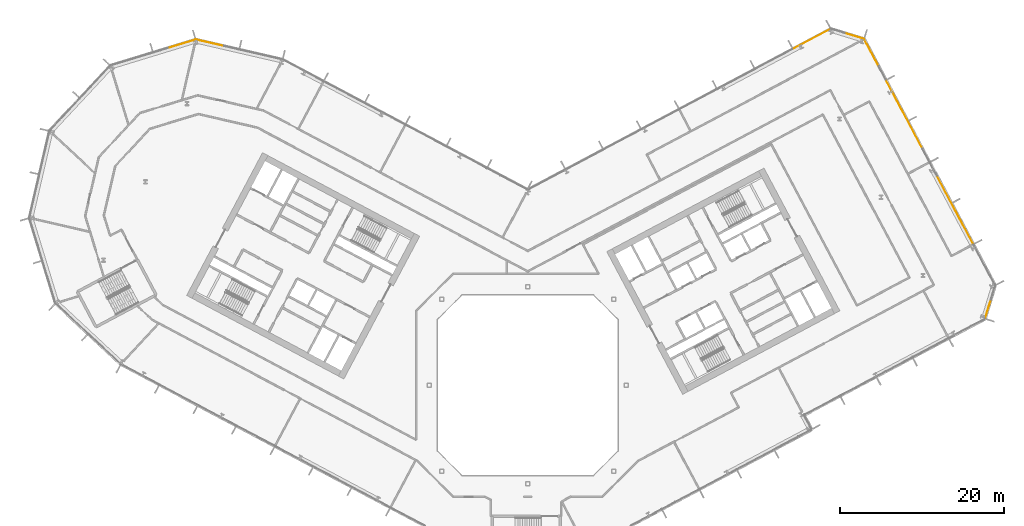
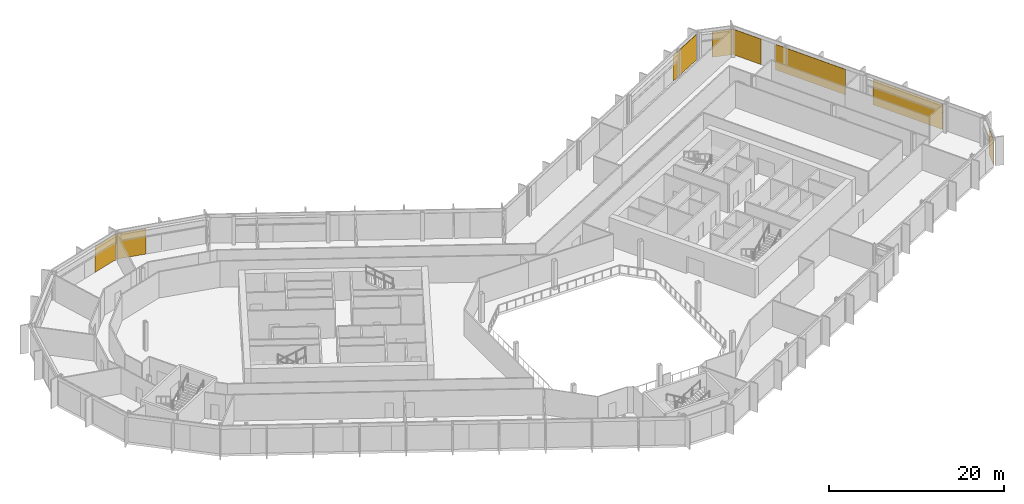
# One storey, part 28 of 28: 8 coverings, 6 elements without a shape of their own.
"""IFC4 building model written with IfcOpenShell, lengths in metres."""

from ifc_helpers import new_model, si_unit, direction, frame, origin, origin_2d, place, context, subcontext, project, spatial, rectangle, extrude, material, layer, layer_set, type_object, element, aggregate, save


model = new_model("IFC4")

# Units and contexts
model_context = context("Model", 3, precision=1e-05, world=origin(), true_north=direction((0.0, 1.0)))
body_context = subcontext(model_context, "Body", "Model", "MODEL_VIEW")
ifc_project = project(units=[si_unit("LENGTHUNIT", "METRE"), si_unit("AREAUNIT", "SQUARE_METRE"), si_unit("VOLUMEUNIT", "CUBIC_METRE"), si_unit("PLANEANGLEUNIT", "RADIAN"), si_unit("MASSUNIT", "GRAM", prefix="KILO")], contexts=[model_context])

# Site, building, storey
site_placement = place(None, origin())
site = spatial("IfcSite", under=ifc_project, at=site_placement, CompositionType="ELEMENT")
building_placement = place(site_placement, origin())
building = spatial("IfcBuilding", under=site, at=building_placement, Name="Cormorant Relay Tower", CompositionType="ELEMENT")
storey_placement = place(building_placement, frame((0.0, 0.0, 158.199951171875)))
storey = spatial("IfcBuildingStorey", under=building, at=storey_placement, Name="L33", CompositionType="ELEMENT", Elevation=158.199951171875)

# Curtain wall, covering
ifc_material_1 = material(Name="Aluminium 6063-T6 anodised bronze", Category="aluminium")
ifc_layer_1 = layer(ifc_material_1, 0.199951171875)
ifc_layer_set_1 = layer_set([ifc_layer_1], Name="CW1 unitised bronze curtain wall with vertical fins")
curtain_wall_type = type_object("IfcCurtainWallType", Name="CW1 unitised bronze curtain wall with vertical fins", PredefinedType="NOTDEFINED", material=ifc_layer_set_1)
curtain_wall_1_placement = place(storey_placement, origin())
curtain_wall_1 = element("IfcCurtainWall", 1, at=curtain_wall_1_placement, inside=storey, type_object=curtain_wall_type, Name="CW1 curtain wall 5", PredefinedType="NOTDEFINED")
ifc_material_2 = material(Name="Pale bronze anodised aluminium insulated panel", Category="aluminium")
ifc_layer_2 = layer(ifc_material_2, 0.0400390625)
ifc_layer_set_2 = layer_set([ifc_layer_2], Name="CW1 pale bronze insulated panel 40")
covering_type = type_object("IfcCoveringType", Name="CW1 pale bronze insulated panel 40", PredefinedType="CLADDING", material=ifc_layer_set_2)
covering_1_placement = place(storey_placement, frame((56.103515625, 9.303955078125, 0.0), z_axis=(0.0, 0.0, 1.0), x_axis=(0.292371704723, 0.956304755963, 0.0)))
covering_1 = element("IfcCovering", 2, at=covering_1_placement, type_object=covering_type, Name="CW1 panel S00", PredefinedType="CLADDING", context=body_context, shape_type="SweptSolid", body=[
    extrude(rectangle(XDim=2.36767578125, YDim=0.0400390625, at=origin_2d()), origin(), (0.0, 0.0, 1.0), 3.550048828125),
])
aggregate(curtain_wall_1, [covering_1])

# Curtain wall, coverings
curtain_wall_2_placement = place(storey_placement, origin())
curtain_wall_2 = element("IfcCurtainWall", 3, at=curtain_wall_2_placement, inside=storey, type_object=curtain_wall_type, Name="CW1 curtain wall 6", PredefinedType="NOTDEFINED")
covering_2_placement = place(storey_placement, frame((52.076171875, 21.384765625, 0.0), z_axis=(0.0, 0.0, 1.0), x_axis=(-0.469471562786, 0.882947592859, 0.0)))
covering_2 = element("IfcCovering", 4, at=covering_2_placement, type_object=covering_type, Name="CW1 panel S01", PredefinedType="CLADDING", context=body_context, shape_type="SweptSolid", body=[
    extrude(rectangle(XDim=9.38330078125, YDim=0.0400390625, at=origin_2d()), origin(), (0.0, 0.0, 1.0), 3.550048828125),
])
covering_3_placement = place(storey_placement, frame((45.910400390625, 32.980712890625, 0.0), z_axis=(0.0, 0.0, 1.0), x_axis=(-0.469471562786, 0.882947592859, 0.0)))
covering_3 = element("IfcCovering", 5, at=covering_3_placement, type_object=covering_type, Name="CW1 panel S04", PredefinedType="CLADDING", context=body_context, shape_type="SweptSolid", body=[
    extrude(rectangle(XDim=9.38330078125, YDim=0.0400390625, at=origin_2d()), origin(), (0.0, 0.0, 1.0), 3.550048828125),
])
covering_4_placement = place(storey_placement, frame((41.90234375, 40.518798828125, 0.0), z_axis=(0.0, 0.0, 1.0), x_axis=(-0.469471562786, 0.882947592859, 0.0)))
covering_4 = element("IfcCovering", 6, at=covering_4_placement, type_object=covering_type, Name="CW1 panel S06", PredefinedType="CLADDING", context=body_context, shape_type="SweptSolid", body=[
    extrude(rectangle(XDim=3.791748046875, YDim=0.0400390625, at=origin_2d()), origin(), (0.0, 0.0, 1.0), 3.550048828125),
])
aggregate(curtain_wall_2, [covering_2, covering_3, covering_4])

# Curtain wall, covering
curtain_wall_3_placement = place(storey_placement, origin())
curtain_wall_3 = element("IfcCurtainWall", 7, at=curtain_wall_3_placement, inside=storey, type_object=curtain_wall_type, Name="CW1 curtain wall 7", PredefinedType="NOTDEFINED")
covering_5_placement = place(storey_placement, frame((39.796630859375, 42.570556640625, 0.0), z_axis=(0.0, 0.0, 1.0), x_axis=(-0.956304755963, 0.292371704723, 0.0)))
covering_5 = element("IfcCovering", 8, at=covering_5_placement, type_object=covering_type, Name="CW1 panel S00", PredefinedType="CLADDING", context=body_context, shape_type="SweptSolid", body=[
    extrude(rectangle(XDim=2.36767578125, YDim=0.0400390625, at=origin_2d()), origin(), (0.0, 0.0, 1.0), 3.550048828125),
])
aggregate(curtain_wall_3, [covering_5])

curtain_wall_4_placement = place(storey_placement, origin())
curtain_wall_4 = element("IfcCurtainWall", 9, at=curtain_wall_4_placement, inside=storey, type_object=curtain_wall_type, Name="CW1 curtain wall 8", PredefinedType="NOTDEFINED")
covering_6_placement = place(storey_placement, frame((34.619384765625, 42.214111328125, 0.0), z_axis=(0.0, 0.0, 1.0), x_axis=(-0.882947592859, -0.469471562786, 0.0)))
covering_6 = element("IfcCovering", 10, at=covering_6_placement, type_object=covering_type, Name="CW1 panel S00", PredefinedType="CLADDING", context=body_context, shape_type="SweptSolid", body=[
    extrude(rectangle(XDim=5.079345703125, YDim=0.0400390625, at=origin_2d()), origin(), (0.0, 0.0, 1.0), 3.550048828125),
])
aggregate(curtain_wall_4, [covering_6])

curtain_wall_5_placement = place(storey_placement, origin())
curtain_wall_5 = element("IfcCurtainWall", 11, at=curtain_wall_5_placement, inside=storey, type_object=curtain_wall_type, Name="CW1 curtain wall 10", PredefinedType="NOTDEFINED")
covering_7_placement = place(storey_placement, frame((-38.7265625, 41.732421875, 0.0), z_axis=(0.0, 0.0, 1.0), x_axis=(-0.974370064785, 0.224951054344, 0.0)))
covering_7 = element("IfcCovering", 12, at=covering_7_placement, type_object=covering_type, Name="CW1 panel S02", PredefinedType="CLADDING", context=body_context, shape_type="SweptSolid", body=[
    extrude(rectangle(XDim=3.560302734375, YDim=0.0400390625, at=origin_2d()), origin(), (0.0, 0.0, 1.0), 3.550048828125),
])
aggregate(curtain_wall_5, [covering_7])

curtain_wall_6_placement = place(storey_placement, origin())
curtain_wall_6 = element("IfcCurtainWall", 13, at=curtain_wall_6_placement, inside=storey, type_object=curtain_wall_type, Name="CW1 curtain wall 11", PredefinedType="NOTDEFINED")
covering_8_placement = place(storey_placement, frame((-42.209716796875, 41.60107421875, 0.0), z_axis=(0.0, 0.0, 1.0), x_axis=(-0.956304755963, -0.292371704723, 0.0)))
covering_8 = element("IfcCovering", 14, at=covering_8_placement, type_object=covering_type, Name="CW1 panel S00", PredefinedType="CLADDING", context=body_context, shape_type="SweptSolid", body=[
    extrude(rectangle(XDim=3.485107421875, YDim=0.0400390625, at=origin_2d()), origin(), (0.0, 0.0, 1.0), 3.550048828125),
])
aggregate(curtain_wall_6, [covering_8])

save(model, "model.ifc")
